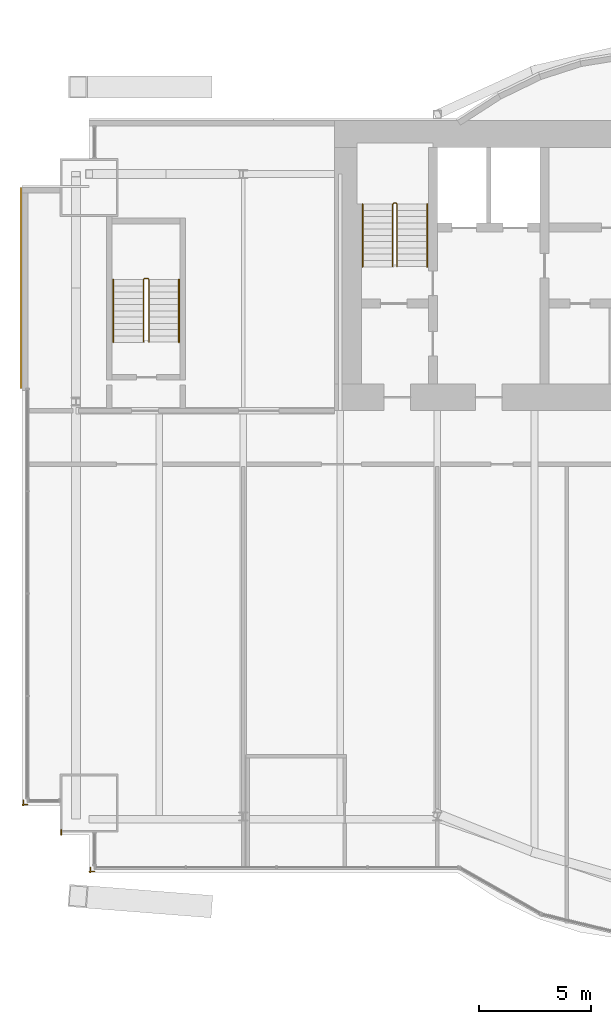
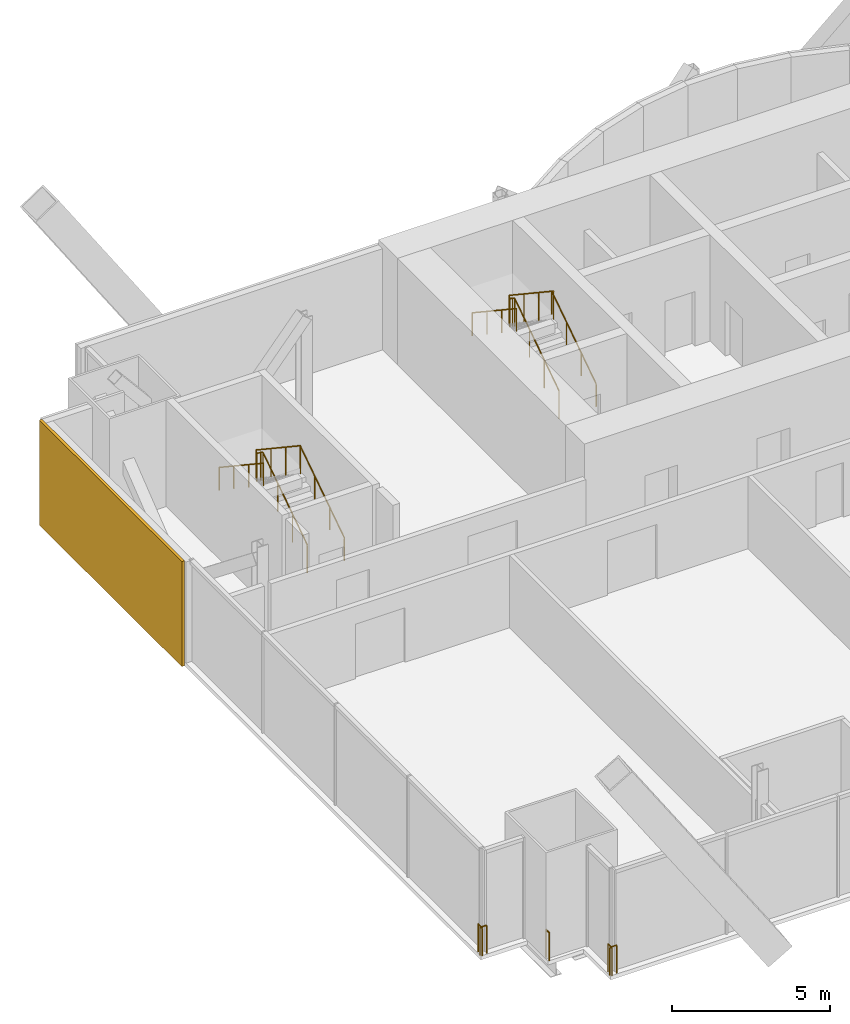
# One storey, part 19 of 21: 9 railings, 1 covering.
"""IFC4 building model written with IfcOpenShell, lengths in metres."""

from ifc_helpers import new_model, si_unit, direction, frame, origin, origin_2d, place, context, subcontext, project, spatial, rectangle, circle, extrude, material, layer, layer_set, type_object, element, save


model = new_model("IFC4")

# Units and contexts
model_context = context("Model", 3, precision=1e-05, world=origin(), true_north=direction((0.0, 1.0)))
body_context = subcontext(model_context, "Body", "Model", "MODEL_VIEW")
ifc_project = project(units=[si_unit("LENGTHUNIT", "METRE"), si_unit("AREAUNIT", "SQUARE_METRE"), si_unit("VOLUMEUNIT", "CUBIC_METRE"), si_unit("PLANEANGLEUNIT", "RADIAN"), si_unit("MASSUNIT", "GRAM", prefix="KILO")], contexts=[model_context])

# Site, building, storey
site_placement = place(None, origin())
site = spatial("IfcSite", under=ifc_project, at=site_placement, CompositionType="ELEMENT")
building_placement = place(site_placement, origin())
building = spatial("IfcBuilding", under=site, at=building_placement, Name="Bicima Exchange Tower", CompositionType="ELEMENT")
storey_placement = place(building_placement, frame((0.0, 0.0, 181.39990234375)))
storey = spatial("IfcBuildingStorey", under=building, at=storey_placement, Name="L40", CompositionType="ELEMENT", Elevation=181.39990234375)

# Covering
ifc_material_1 = material(Name="Bronze metal cladding")
ifc_layer_1 = layer(ifc_material_1, 0.004)
ifc_material_2 = material(Name="Ventilated cavity")
ifc_layer_2 = layer(ifc_material_2, 0.06)
ifc_material_3 = material(Name="Galvanised steel rail and mineral wool", Category="steel")
ifc_layer_3 = layer(ifc_material_3, 0.036)
ifc_layer_set = layer_set([ifc_layer_1, ifc_layer_2, ifc_layer_3], Name="Ventilated cavity")
covering_type = type_object("IfcCoveringType", Name="Bronze metal cladding panel 100", PredefinedType="CLADDING", material=ifc_layer_set)
covering_placement = place(storey_placement, frame((-36.050048828125, -7.5, -0.14990234375), z_axis=(0.0, 0.0, 1.0), x_axis=(0.0, -1.0, 0.0)))
element("IfcCovering", 1, at=covering_placement, inside=storey, type_object=covering_type, Name="Bronze cladding L40 23.1", PredefinedType="CLADDING", context=body_context, shape_type="SweptSolid", body=[
    extrude(rectangle(XDim=9.0, YDim=0.10009765625, at=origin_2d()), origin(), (0.0, 0.0, 1.0), 4.050048828125),
])

# Railings
ifc_material_4 = material(Name="Stainless steel and bonded safety glass", Category="steel")
railing_type_1 = type_object("IfcRailingType", Name="Edge guard 1100", PredefinedType="GUARDRAIL", material=ifc_material_4)
railing_1_placement = place(storey_placement, frame((-35.757080078125, -30.654052734375, 0.0)))
element("IfcRailing", 2, at=railing_1_placement, inside=storey, type_object=railing_type_1, Name="Edge guard L40 203", PredefinedType="GUARDRAIL", context=body_context, shape_type="SweptSolid", body=[
    extrude(circle(Radius=0.02392578125, at=origin_2d()), frame((0.0, 0.0, 1.076171875), z_axis=(-1.0, 0.0, 0.0), x_axis=(0.0, -1.0, 0.0)), (0.0, 0.0, 1.0), 0.242919921875),
    extrude(circle(Radius=0.02392578125, at=origin_2d()), frame((-0.242919921875, 0.0, 1.076171875), z_axis=(0.707106781187, -0.707106781187, 0.0), x_axis=(0.707106781187, 0.707106781187, 0.0)), (0.0, 0.0, 1.0), 0.07080078125),
    extrude(circle(Radius=0.02392578125, at=origin_2d()), frame((-0.19287109375, -0.050048828125, 1.076171875), z_axis=(0.0, 1.0, 0.0), x_axis=(-1.0, 0.0, 0.0)), (0.0, 0.0, 1.0), 0.25),
    extrude(circle(Radius=0.02099609375, at=origin_2d()), origin(), (0.0, 0.0, 1.0), 1.052001953125),
    extrude(circle(Radius=0.02099609375, at=origin_2d()), frame((-0.242919921875, 0.0, 0.0)), (0.0, 0.0, 1.0), 1.052001953125),
    extrude(circle(Radius=0.02099609375, at=origin_2d()), frame((-0.19287109375, -0.050048828125, 0.0)), (0.0, 0.0, 1.0), 1.052001953125),
    extrude(circle(Radius=0.02099609375, at=origin_2d()), frame((-0.19287109375, 0.199951171875, 0.0)), (0.0, 0.0, 1.0), 1.052001953125),
])
railing_2_placement = place(storey_placement, frame((-32.75, -33.654052734375, 0.0)))
element("IfcRailing", 3, at=railing_2_placement, inside=storey, type_object=railing_type_1, Name="Edge guard L40 207", PredefinedType="GUARDRAIL", context=body_context, shape_type="SweptSolid", body=[
    extrude(circle(Radius=0.02392578125, at=origin_2d()), frame((0.0, 0.0, 1.076171875), z_axis=(-1.0, 0.0, 0.0), x_axis=(0.0, -1.0, 0.0)), (0.0, 0.0, 1.0), 0.25),
    extrude(circle(Radius=0.02392578125, at=origin_2d()), frame((-0.25, 0.0, 1.076171875), z_axis=(0.707106781187, -0.707106781187, 0.0), x_axis=(0.707106781187, 0.707106781187, 0.0)), (0.0, 0.0, 1.0), 0.07080078125),
    extrude(circle(Radius=0.02392578125, at=origin_2d()), frame((-0.199951171875, -0.050048828125, 1.076171875), z_axis=(0.0, 1.0, 0.0), x_axis=(-1.0, 0.0, 0.0)), (0.0, 0.0, 1.0), 0.2431640625),
    extrude(circle(Radius=0.02099609375, at=origin_2d()), origin(), (0.0, 0.0, 1.0), 1.052001953125),
    extrude(circle(Radius=0.02099609375, at=origin_2d()), frame((-0.25, 0.0, 0.0)), (0.0, 0.0, 1.0), 1.052001953125),
    extrude(circle(Radius=0.02099609375, at=origin_2d()), frame((-0.199951171875, -0.050048828125, 0.0)), (0.0, 0.0, 1.0), 1.052001953125),
    extrude(circle(Radius=0.02099609375, at=origin_2d()), frame((-0.199951171875, 0.193115234375, 0.0)), (0.0, 0.0, 1.0), 1.052001953125),
])
railing_3_placement = place(storey_placement, frame((-34.25, -32.00390625, 0.0)))
element("IfcRailing", 4, at=railing_3_placement, inside=storey, type_object=railing_type_1, Name="Edge guard L40 208", PredefinedType="GUARDRAIL", context=body_context, shape_type="SweptSolid", body=[
    extrude(circle(Radius=0.02392578125, at=origin_2d()), frame((0.0, 0.0, 1.076171875), z_axis=(0.0, 1.0, 0.0), x_axis=(-1.0, 0.0, 0.0)), (0.0, 0.0, 1.0), 0.216796875),
    extrude(circle(Radius=0.02099609375, at=origin_2d()), origin(), (0.0, 0.0, 1.0), 1.052001953125),
    extrude(circle(Radius=0.02099609375, at=origin_2d()), frame((0.0, 0.216796875, 0.0)), (0.0, 0.0, 1.0), 1.052001953125),
])
ifc_material_5 = material(Name="Stainless steel", Category="steel")
railing_type_2 = type_object("IfcRailingType", Name="Stair guard 1100", PredefinedType="GUARDRAIL", material=ifc_material_5)
railing_4_placement = place(storey_placement, frame((-19.199951171875, -6.550048828125, 0.1865234375)))
element("IfcRailing", 5, at=railing_4_placement, inside=storey, type_object=railing_type_2, Name="L40 ST-W stair guard 1", PredefinedType="GUARDRAIL", context=body_context, shape_type="SweptSolid", body=[
    extrude(circle(Radius=0.02392578125, at=origin_2d()), frame((0.0, 0.0, 1.076171875), z_axis=(0.0, 0.832485552168, 0.554046753832), x_axis=(-1.0, 0.0, 0.0)), (0.0, 0.0, 1.0), 3.363525390625),
    extrude(circle(Radius=0.02392578125, at=origin_2d()), frame((0.0, 2.800048828125, 2.939453125), z_axis=(-0.707106781187, 0.707106781187, 0.0), x_axis=(-0.707106781187, -0.707106781187, 0.0)), (0.0, 0.0, 1.0), 0.07080078125),
    extrude(circle(Radius=0.02392578125, at=origin_2d()), frame((-0.050048828125, 2.85009765625, 2.939453125), z_axis=(-1.0, 0.0, 0.0), x_axis=(0.0, -1.0, 0.0)), (0.0, 0.0, 1.0), 0.10009765625),
    extrude(circle(Radius=0.02392578125, at=origin_2d()), frame((-0.150146484375, 2.85009765625, 2.939453125), z_axis=(-0.249722437352, -0.250946566947, 0.935235010476), x_axis=(0.708833529934, -0.705375805398, 0.0)), (0.0, 0.0, 1.0), 0.199462890625),
    extrude(circle(Radius=0.02392578125, at=origin_2d()), frame((-0.199951171875, 2.800048828125, 3.1259765625), z_axis=(0.0, -0.832485552168, 0.554046753832), x_axis=(1.0, 0.0, 0.0)), (0.0, 0.0, 1.0), 3.363525390625),
    extrude(circle(Radius=0.02099609375, at=origin_2d()), origin(), (0.0, 0.0, 1.0), 1.052001953125),
    extrude(circle(Radius=0.02099609375, at=origin_2d()), frame((0.0, 0.933349609375, 0.62109375)), (0.0, 0.0, 1.0), 1.052001953125),
    extrude(circle(Radius=0.02099609375, at=origin_2d()), frame((0.0, 1.86669921875, 1.242431640625)), (0.0, 0.0, 1.0), 1.052001953125),
    extrude(circle(Radius=0.02099609375, at=origin_2d()), frame((0.0, 2.800048828125, 1.863525390625)), (0.0, 0.0, 1.0), 1.052001953125),
    extrude(circle(Radius=0.02099609375, at=origin_2d()), frame((-0.050048828125, 2.85009765625, 1.863525390625)), (0.0, 0.0, 1.0), 1.052001953125),
    extrude(circle(Radius=0.02099609375, at=origin_2d()), frame((-0.150146484375, 2.85009765625, 1.863525390625)), (0.0, 0.0, 1.0), 1.052001953125),
    extrude(circle(Radius=0.02099609375, at=origin_2d()), frame((-0.199951171875, 2.800048828125, 2.050048828125)), (0.0, 0.0, 1.0), 1.052001953125),
    extrude(circle(Radius=0.02099609375, at=origin_2d()), frame((-0.199951171875, 1.86669921875, 2.671142578125)), (0.0, 0.0, 1.0), 1.052001953125),
    extrude(circle(Radius=0.02099609375, at=origin_2d()), frame((-0.199951171875, 0.933349609375, 3.29248046875)), (0.0, 0.0, 1.0), 1.052001953125),
    extrude(circle(Radius=0.02099609375, at=origin_2d()), frame((-0.199951171875, 0.0, 3.91357421875)), (0.0, 0.0, 1.0), 1.052001953125),
])
railing_5_placement = place(storey_placement, frame((-30.324951171875, -9.925048828125, 0.1865234375)))
element("IfcRailing", 6, at=railing_5_placement, inside=storey, type_object=railing_type_2, Name="L40 ST-WW stair guard 1", PredefinedType="GUARDRAIL", context=body_context, shape_type="SweptSolid", body=[
    extrude(circle(Radius=0.02392578125, at=origin_2d()), frame((0.0, 0.0, 1.076171875), z_axis=(0.0, 0.832485552168, 0.554046753832), x_axis=(-1.0, 0.0, 0.0)), (0.0, 0.0, 1.0), 3.363525390625),
    extrude(circle(Radius=0.02392578125, at=origin_2d()), frame((0.0, 2.800048828125, 2.939453125), z_axis=(-0.707106781187, 0.707106781187, 0.0), x_axis=(-0.707106781187, -0.707106781187, 0.0)), (0.0, 0.0, 1.0), 0.07080078125),
    extrude(circle(Radius=0.02392578125, at=origin_2d()), frame((-0.050048828125, 2.85009765625, 2.939453125), z_axis=(-1.0, 0.0, 0.0), x_axis=(0.0, -1.0, 0.0)), (0.0, 0.0, 1.0), 0.14990234375),
    extrude(circle(Radius=0.02392578125, at=origin_2d()), frame((-0.199951171875, 2.85009765625, 2.939453125), z_axis=(-0.250869701741, -0.250869701741, 0.934948546978), x_axis=(0.707106781187, -0.707106781187, 0.0)), (0.0, 0.0, 1.0), 0.199462890625),
    extrude(circle(Radius=0.02392578125, at=origin_2d()), frame((-0.25, 2.800048828125, 3.1259765625), z_axis=(0.0, -0.832485552168, 0.554046753832), x_axis=(1.0, 0.0, 0.0)), (0.0, 0.0, 1.0), 3.363525390625),
    extrude(circle(Radius=0.02099609375, at=origin_2d()), origin(), (0.0, 0.0, 1.0), 1.052001953125),
    extrude(circle(Radius=0.02099609375, at=origin_2d()), frame((0.0, 0.933349609375, 0.62109375)), (0.0, 0.0, 1.0), 1.052001953125),
    extrude(circle(Radius=0.02099609375, at=origin_2d()), frame((0.0, 1.86669921875, 1.242431640625)), (0.0, 0.0, 1.0), 1.052001953125),
    extrude(circle(Radius=0.02099609375, at=origin_2d()), frame((0.0, 2.800048828125, 1.863525390625)), (0.0, 0.0, 1.0), 1.052001953125),
    extrude(circle(Radius=0.02099609375, at=origin_2d()), frame((-0.050048828125, 2.85009765625, 1.863525390625)), (0.0, 0.0, 1.0), 1.052001953125),
    extrude(circle(Radius=0.02099609375, at=origin_2d()), frame((-0.199951171875, 2.85009765625, 1.863525390625)), (0.0, 0.0, 1.0), 1.052001953125),
    extrude(circle(Radius=0.02099609375, at=origin_2d()), frame((-0.25, 2.800048828125, 2.050048828125)), (0.0, 0.0, 1.0), 1.052001953125),
    extrude(circle(Radius=0.02099609375, at=origin_2d()), frame((-0.25, 1.86669921875, 2.671142578125)), (0.0, 0.0, 1.0), 1.052001953125),
    extrude(circle(Radius=0.02099609375, at=origin_2d()), frame((-0.25, 0.933349609375, 3.29248046875)), (0.0, 0.0, 1.0), 1.052001953125),
    extrude(circle(Radius=0.02099609375, at=origin_2d()), frame((-0.25, 0.0, 3.91357421875)), (0.0, 0.0, 1.0), 1.052001953125),
])
railing_type_3 = type_object("IfcRailingType", Name="Stair handrail 900", PredefinedType="HANDRAIL", material=ifc_material_5)
railing_6_placement = place(storey_placement, frame((-17.85009765625, -6.550048828125, 0.1865234375)))
element("IfcRailing", 7, at=railing_6_placement, inside=storey, type_object=railing_type_3, Name="L40 ST-W stair handrail 1", PredefinedType="HANDRAIL", context=body_context, shape_type="SweptSolid", body=[
    extrude(circle(Radius=0.02392578125, at=origin_2d()), frame((0.0, 0.0, 0.8759765625), z_axis=(0.0, 0.832485552168, 0.554046753832), x_axis=(-1.0, 0.0, 0.0)), (0.0, 0.0, 1.0), 3.363525390625),
    extrude(circle(Radius=0.02099609375, at=origin_2d()), origin(), (0.0, 0.0, 1.0), 0.851806640625),
    extrude(circle(Radius=0.02099609375, at=origin_2d()), frame((0.0, 0.933349609375, 0.62109375)), (0.0, 0.0, 1.0), 0.851806640625),
    extrude(circle(Radius=0.02099609375, at=origin_2d()), frame((0.0, 1.86669921875, 1.242431640625)), (0.0, 0.0, 1.0), 0.851806640625),
    extrude(circle(Radius=0.02099609375, at=origin_2d()), frame((0.0, 2.800048828125, 1.863525390625)), (0.0, 0.0, 1.0), 0.851806640625),
])
railing_7_placement = place(storey_placement, frame((-20.75, -3.75, 2.236572265625)))
element("IfcRailing", 8, at=railing_7_placement, inside=storey, type_object=railing_type_3, Name="L40 ST-W stair handrail 2", PredefinedType="HANDRAIL", context=body_context, shape_type="SweptSolid", body=[
    extrude(circle(Radius=0.02392578125, at=origin_2d()), frame((0.0, 0.0, 0.8759765625), z_axis=(0.0, -0.832485552168, 0.554046753832), x_axis=(1.0, 0.0, 0.0)), (0.0, 0.0, 1.0), 3.363525390625),
    extrude(circle(Radius=0.02099609375, at=origin_2d()), origin(), (0.0, 0.0, 1.0), 0.851806640625),
    extrude(circle(Radius=0.02099609375, at=origin_2d()), frame((0.0, -0.933349609375, 0.62109375)), (0.0, 0.0, 1.0), 0.851806640625),
    extrude(circle(Radius=0.02099609375, at=origin_2d()), frame((0.0, -1.86669921875, 1.242431640625)), (0.0, 0.0, 1.0), 0.851806640625),
    extrude(circle(Radius=0.02099609375, at=origin_2d()), frame((0.0, -2.800048828125, 1.863525390625)), (0.0, 0.0, 1.0), 0.851806640625),
])
railing_8_placement = place(storey_placement, frame((-28.97509765625, -9.925048828125, 0.1865234375)))
element("IfcRailing", 9, at=railing_8_placement, inside=storey, type_object=railing_type_3, Name="L40 ST-WW stair handrail 1", PredefinedType="HANDRAIL", context=body_context, shape_type="SweptSolid", body=[
    extrude(circle(Radius=0.02392578125, at=origin_2d()), frame((0.0, 0.0, 0.8759765625), z_axis=(0.0, 0.832485552168, 0.554046753832), x_axis=(-1.0, 0.0, 0.0)), (0.0, 0.0, 1.0), 3.363525390625),
    extrude(circle(Radius=0.02099609375, at=origin_2d()), origin(), (0.0, 0.0, 1.0), 0.851806640625),
    extrude(circle(Radius=0.02099609375, at=origin_2d()), frame((0.0, 0.933349609375, 0.62109375)), (0.0, 0.0, 1.0), 0.851806640625),
    extrude(circle(Radius=0.02099609375, at=origin_2d()), frame((0.0, 1.86669921875, 1.242431640625)), (0.0, 0.0, 1.0), 0.851806640625),
    extrude(circle(Radius=0.02099609375, at=origin_2d()), frame((0.0, 2.800048828125, 1.863525390625)), (0.0, 0.0, 1.0), 0.851806640625),
])
railing_9_placement = place(storey_placement, frame((-31.925048828125, -7.125, 2.236572265625)))
element("IfcRailing", 10, at=railing_9_placement, inside=storey, type_object=railing_type_3, Name="L40 ST-WW stair handrail 2", PredefinedType="HANDRAIL", context=body_context, shape_type="SweptSolid", body=[
    extrude(circle(Radius=0.02392578125, at=origin_2d()), frame((0.0, 0.0, 0.8759765625), z_axis=(0.0, -0.832485552168, 0.554046753832), x_axis=(1.0, 0.0, 0.0)), (0.0, 0.0, 1.0), 3.363525390625),
    extrude(circle(Radius=0.02099609375, at=origin_2d()), origin(), (0.0, 0.0, 1.0), 0.851806640625),
    extrude(circle(Radius=0.02099609375, at=origin_2d()), frame((0.0, -0.933349609375, 0.62109375)), (0.0, 0.0, 1.0), 0.851806640625),
    extrude(circle(Radius=0.02099609375, at=origin_2d()), frame((0.0, -1.86669921875, 1.242431640625)), (0.0, 0.0, 1.0), 0.851806640625),
    extrude(circle(Radius=0.02099609375, at=origin_2d()), frame((0.0, -2.800048828125, 1.863525390625)), (0.0, 0.0, 1.0), 0.851806640625),
])

save(model, "model.ifc")
